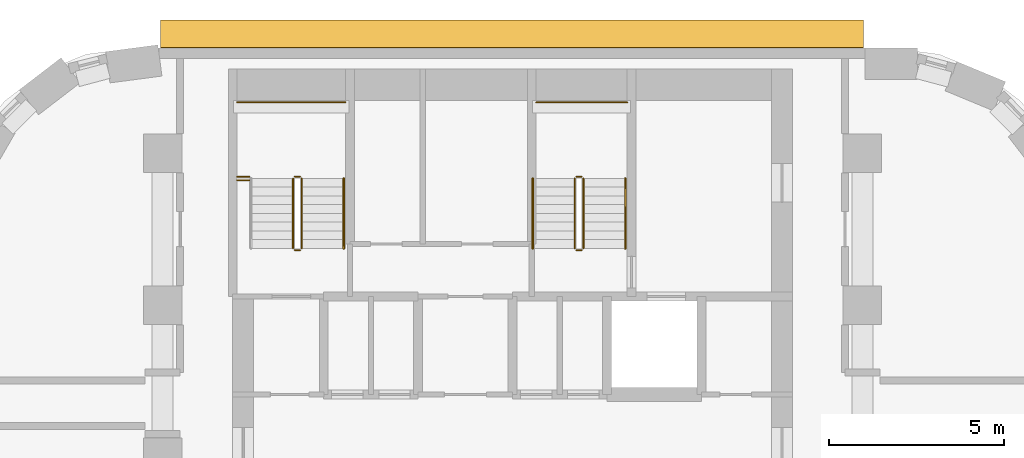
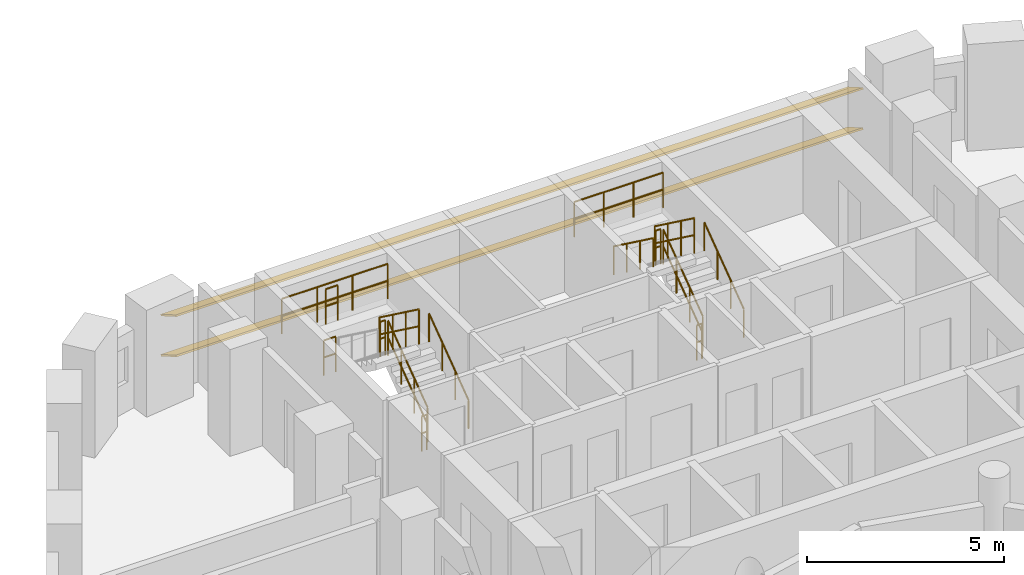
# One storey, part 12 of 12: 15 railings, 2 shading devices.
"""IFC4 building model written with IfcOpenShell, lengths in metres."""

from ifc_helpers import new_model, si_unit, direction, frame, origin, origin_2d, place, context, subcontext, project, spatial, rectangle, circle, extrude, material, material_profile, profile_set, type_object, element, save


model = new_model("IFC4")

# Units and contexts
model_context = context("Model", 3, precision=1e-05, world=origin(), true_north=direction((0.0, 1.0)))
body_context = subcontext(model_context, "Body", "Model", "MODEL_VIEW")
ifc_project = project(units=[si_unit("LENGTHUNIT", "METRE"), si_unit("AREAUNIT", "SQUARE_METRE"), si_unit("VOLUMEUNIT", "CUBIC_METRE"), si_unit("PLANEANGLEUNIT", "RADIAN"), si_unit("MASSUNIT", "GRAM", prefix="KILO")], contexts=[model_context])

# Site, building, storey
site_placement = place(None, origin())
site = spatial("IfcSite", under=ifc_project, at=site_placement, CompositionType="ELEMENT")
building_placement = place(site_placement, origin())
building = spatial("IfcBuilding", under=site, at=building_placement, Name="Nakaniwa Court", CompositionType="ELEMENT")
storey_placement = place(building_placement, frame((0.0, 0.0, 54.60009765625)))
storey = spatial("IfcBuildingStorey", under=building, at=storey_placement, Name="L14", CompositionType="ELEMENT", Elevation=54.60009765625)

# Shading devices
ifc_material_1 = material(Name="Perforated charcoal ceramic louvre blade")
ifc_material_profile = material_profile(ifc_material_1, rectangle(XDim=0.89990234375, YDim=0.050048828125, at=origin_2d()), Name="Perforated ceramic louvre blade")
ifc_profile_set = profile_set([ifc_material_profile], Name="Perforated charcoal ceramic louvre blade")
shading_device_type = type_object("IfcShadingDeviceType", Name="Perforated ceramic louvre blade", PredefinedType="JALOUSIE", material=ifc_profile_set)
for number, where, z_axis, x_axis, name in (
    (1, (90.02880859375, 104.402099609375, 0.5498046875), (-1.0, 0.0, 0.0), (0.0, -0.866025403784, 0.5), "L14 perforated ceramic louvre blade w08 1"),
    (2, (90.02880859375, 104.402099609375, 1.793212890625), (-1.0, 0.0, 0.0), (0.0, -0.866025403784, 0.5), "L14 perforated ceramic louvre blade w08 2"),
):
    element("IfcShadingDevice", number, at=place(storey_placement, frame(where, z_axis=z_axis, x_axis=x_axis)), inside=storey, type_object=shading_device_type, Name=name, PredefinedType="JALOUSIE", context=body_context, shape_type="SweptSolid", body=[
        extrude(rectangle(XDim=0.89990234375, YDim=0.050048828125, at=origin_2d()), origin(), (0.0, 0.0, 1.0), 20.090576171875),
    ])

# Railings
ifc_material_2 = material(Name="Black powder coated steel guard", Category="steel")
railing_type_1 = type_object("IfcRailingType", Name="Stair guard 1100", PredefinedType="GUARDRAIL", material=ifc_material_2)
railing_1_placement = place(storey_placement, frame((73.97509765625, 98.27490234375, 0.183349609375)))
element("IfcRailing", 3, at=railing_1_placement, inside=storey, type_object=railing_type_1, Name="L14 ST1 stair guard 1", PredefinedType="GUARDRAIL", context=body_context, shape_type="SweptSolid", body=[
    extrude(circle(Radius=0.02392578125, at=origin_2d()), frame((0.0, 0.0, 1.076171875), z_axis=(0.0, 0.806426902644, 0.591333789573), x_axis=(-1.0, 0.0, 0.0)), (0.0, 0.0, 1.0), 2.47998046875),
    extrude(circle(Radius=0.02392578125, at=origin_2d()), frame((0.0, 0.0, 0.550048828125), z_axis=(0.0, 0.806426902644, 0.591333789573), x_axis=(-1.0, 0.0, 0.0)), (0.0, 0.0, 1.0), 2.47998046875),
    extrude(circle(Radius=0.02099609375, at=origin_2d()), origin(), (0.0, 0.0, 1.0), 1.052001953125),
    extrude(circle(Radius=0.02099609375, at=origin_2d()), frame((0.0, 0.666748046875, 0.48876953125)), (0.0, 0.0, 1.0), 1.052001953125),
    extrude(circle(Radius=0.02099609375, at=origin_2d()), frame((0.0, 1.333251953125, 0.977783203125)), (0.0, 0.0, 1.0), 1.052001953125),
    extrude(circle(Radius=0.02099609375, at=origin_2d()), frame((0.0, 2.0, 1.466552734375)), (0.0, 0.0, 1.0), 1.052001953125),
])
railing_2_placement = place(storey_placement, frame((73.925048828125, 100.324951171875, 1.64990234375)))
element("IfcRailing", 4, at=railing_2_placement, inside=storey, type_object=railing_type_1, Name="L14 ST1 stair guard 2", PredefinedType="GUARDRAIL", context=body_context, shape_type="SweptSolid", body=[
    extrude(circle(Radius=0.02392578125, at=origin_2d()), frame((0.0, 0.0, 1.076171875), z_axis=(-1.0, 0.0, 0.0), x_axis=(0.0, -1.0, 0.0)), (0.0, 0.0, 1.0), 0.150146484375),
    extrude(circle(Radius=0.02392578125, at=origin_2d()), frame((0.0, 0.0, 0.550048828125), z_axis=(-1.0, 0.0, 0.0), x_axis=(0.0, -1.0, 0.0)), (0.0, 0.0, 1.0), 0.150146484375),
    extrude(circle(Radius=0.02099609375, at=origin_2d()), origin(), (0.0, 0.0, 1.0), 1.052001953125),
    extrude(circle(Radius=0.02099609375, at=origin_2d()), frame((-0.150146484375, 0.0, 0.0)), (0.0, 0.0, 1.0), 1.052001953125),
])
railing_3_placement = place(storey_placement, frame((73.72509765625, 100.27490234375, 1.833251953125)))
element("IfcRailing", 5, at=railing_3_placement, inside=storey, type_object=railing_type_1, Name="L14 ST1 stair guard 3", PredefinedType="GUARDRAIL", context=body_context, shape_type="SweptSolid", body=[
    extrude(circle(Radius=0.02392578125, at=origin_2d()), frame((0.0, 0.0, 1.076171875), z_axis=(0.0, -0.806426902644, 0.591333789573), x_axis=(1.0, 0.0, 0.0)), (0.0, 0.0, 1.0), 2.47998046875),
    extrude(circle(Radius=0.02392578125, at=origin_2d()), frame((0.0, 0.0, 0.550048828125), z_axis=(0.0, -0.806426902644, 0.591333789573), x_axis=(1.0, 0.0, 0.0)), (0.0, 0.0, 1.0), 2.47998046875),
    extrude(circle(Radius=0.02099609375, at=origin_2d()), origin(), (0.0, 0.0, 1.0), 1.052001953125),
    extrude(circle(Radius=0.02099609375, at=origin_2d()), frame((0.0, -0.666748046875, 0.48876953125)), (0.0, 0.0, 1.0), 1.052001953125),
    extrude(circle(Radius=0.02099609375, at=origin_2d()), frame((0.0, -1.333251953125, 0.977783203125)), (0.0, 0.0, 1.0), 1.052001953125),
    extrude(circle(Radius=0.02099609375, at=origin_2d()), frame((0.0, -2.0, 1.466552734375)), (0.0, 0.0, 1.0), 1.052001953125),
])
railing_4_placement = place(storey_placement, frame((73.925048828125, 98.22509765625, 0.0)))
element("IfcRailing", 6, at=railing_4_placement, inside=storey, type_object=railing_type_1, Name="L14 ST1 stair guard 4", PredefinedType="GUARDRAIL", context=body_context, shape_type="SweptSolid", body=[
    extrude(circle(Radius=0.02392578125, at=origin_2d()), frame((0.0, 0.0, 1.076171875), z_axis=(-1.0, 0.0, 0.0), x_axis=(0.0, -1.0, 0.0)), (0.0, 0.0, 1.0), 0.150146484375),
    extrude(circle(Radius=0.02392578125, at=origin_2d()), frame((0.0, 0.0, 0.550048828125), z_axis=(-1.0, 0.0, 0.0), x_axis=(0.0, -1.0, 0.0)), (0.0, 0.0, 1.0), 0.150146484375),
    extrude(circle(Radius=0.02099609375, at=origin_2d()), origin(), (0.0, 0.0, 1.0), 1.052001953125),
    extrude(circle(Radius=0.02099609375, at=origin_2d()), frame((-0.150146484375, 0.0, 0.0)), (0.0, 0.0, 1.0), 1.052001953125),
])
railing_5_placement = place(storey_placement, frame((72.125, 102.449951171875, 1.64990234375)))
element("IfcRailing", 7, at=railing_5_placement, inside=storey, type_object=railing_type_1, Name="L14 ST1 landing end guard 1", PredefinedType="GUARDRAIL", context=body_context, shape_type="SweptSolid", body=[
    extrude(circle(Radius=0.02392578125, at=origin_2d()), frame((0.0, 0.0, 1.076171875), z_axis=(1.0, 0.0, 0.0), x_axis=(0.0, 1.0, 0.0)), (0.0, 0.0, 1.0), 3.10009765625),
    extrude(circle(Radius=0.02392578125, at=origin_2d()), frame((0.0, 0.0, 0.550048828125), z_axis=(1.0, 0.0, 0.0), x_axis=(0.0, 1.0, 0.0)), (0.0, 0.0, 1.0), 3.10009765625),
    extrude(circle(Radius=0.02099609375, at=origin_2d()), origin(), (0.0, 0.0, 1.0), 1.052001953125),
    extrude(circle(Radius=0.02099609375, at=origin_2d()), frame((1.033447265625, 0.0, 0.0)), (0.0, 0.0, 1.0), 1.052001953125),
    extrude(circle(Radius=0.02099609375, at=origin_2d()), frame((2.066650390625, 0.0, 0.0)), (0.0, 0.0, 1.0), 1.052001953125),
    extrude(circle(Radius=0.02099609375, at=origin_2d()), frame((3.10009765625, 0.0, 0.0)), (0.0, 0.0, 1.0), 1.052001953125),
])
for number, where, name in (
    (8, (72.125, 100.324951171875, 1.64990234375), "L14 ST1 landing side guard 1W"),
    (9, (72.125, 100.22509765625, 3.2998046875), "L14 ST1 floor edge guard 1W"),
):
    element("IfcRailing", number, at=place(storey_placement, frame(where)), inside=storey, type_object=railing_type_1, Name=name, PredefinedType="GUARDRAIL", context=body_context, shape_type="SweptSolid", body=[
        extrude(circle(Radius=0.02392578125, at=origin_2d()), frame((0.0, 0.0, 1.076171875), z_axis=(1.0, 0.0, 0.0), x_axis=(0.0, 1.0, 0.0)), (0.0, 0.0, 1.0), 0.35009765625),
        extrude(circle(Radius=0.02392578125, at=origin_2d()), frame((0.0, 0.0, 0.550048828125), z_axis=(1.0, 0.0, 0.0), x_axis=(0.0, 1.0, 0.0)), (0.0, 0.0, 1.0), 0.35009765625),
        extrude(circle(Radius=0.02099609375, at=origin_2d()), origin(), (0.0, 0.0, 1.0), 1.052001953125),
        extrude(circle(Radius=0.02099609375, at=origin_2d()), frame((0.35009765625, 0.0, 0.0)), (0.0, 0.0, 1.0), 1.052001953125),
    ])
railing_6_placement = place(storey_placement, frame((82.02490234375, 98.27490234375, 0.183349609375)))
element("IfcRailing", 10, at=railing_6_placement, inside=storey, type_object=railing_type_1, Name="L14 ST2 stair guard 1", PredefinedType="GUARDRAIL", context=body_context, shape_type="SweptSolid", body=[
    extrude(circle(Radius=0.02392578125, at=origin_2d()), frame((0.0, 0.0, 1.076171875), z_axis=(0.0, 0.806426902644, 0.591333789573), x_axis=(-1.0, 0.0, 0.0)), (0.0, 0.0, 1.0), 2.47998046875),
    extrude(circle(Radius=0.02392578125, at=origin_2d()), frame((0.0, 0.0, 0.550048828125), z_axis=(0.0, 0.806426902644, 0.591333789573), x_axis=(-1.0, 0.0, 0.0)), (0.0, 0.0, 1.0), 2.47998046875),
    extrude(circle(Radius=0.02099609375, at=origin_2d()), origin(), (0.0, 0.0, 1.0), 1.052001953125),
    extrude(circle(Radius=0.02099609375, at=origin_2d()), frame((0.0, 0.666748046875, 0.48876953125)), (0.0, 0.0, 1.0), 1.052001953125),
    extrude(circle(Radius=0.02099609375, at=origin_2d()), frame((0.0, 1.333251953125, 0.977783203125)), (0.0, 0.0, 1.0), 1.052001953125),
    extrude(circle(Radius=0.02099609375, at=origin_2d()), frame((0.0, 2.0, 1.466552734375)), (0.0, 0.0, 1.0), 1.052001953125),
])
railing_7_placement = place(storey_placement, frame((81.97509765625, 100.324951171875, 1.64990234375)))
element("IfcRailing", 11, at=railing_7_placement, inside=storey, type_object=railing_type_1, Name="L14 ST2 stair guard 2", PredefinedType="GUARDRAIL", context=body_context, shape_type="SweptSolid", body=[
    extrude(circle(Radius=0.02392578125, at=origin_2d()), frame((0.0, 0.0, 1.076171875), z_axis=(-1.0, 0.0, 0.0), x_axis=(0.0, -1.0, 0.0)), (0.0, 0.0, 1.0), 0.150146484375),
    extrude(circle(Radius=0.02392578125, at=origin_2d()), frame((0.0, 0.0, 0.550048828125), z_axis=(-1.0, 0.0, 0.0), x_axis=(0.0, -1.0, 0.0)), (0.0, 0.0, 1.0), 0.150146484375),
    extrude(circle(Radius=0.02099609375, at=origin_2d()), origin(), (0.0, 0.0, 1.0), 1.052001953125),
    extrude(circle(Radius=0.02099609375, at=origin_2d()), frame((-0.150146484375, 0.0, 0.0)), (0.0, 0.0, 1.0), 1.052001953125),
])
railing_8_placement = place(storey_placement, frame((81.77490234375, 100.27490234375, 1.833251953125)))
element("IfcRailing", 12, at=railing_8_placement, inside=storey, type_object=railing_type_1, Name="L14 ST2 stair guard 3", PredefinedType="GUARDRAIL", context=body_context, shape_type="SweptSolid", body=[
    extrude(circle(Radius=0.02392578125, at=origin_2d()), frame((0.0, 0.0, 1.076171875), z_axis=(0.0, -0.806426902644, 0.591333789573), x_axis=(1.0, 0.0, 0.0)), (0.0, 0.0, 1.0), 2.47998046875),
    extrude(circle(Radius=0.02392578125, at=origin_2d()), frame((0.0, 0.0, 0.550048828125), z_axis=(0.0, -0.806426902644, 0.591333789573), x_axis=(1.0, 0.0, 0.0)), (0.0, 0.0, 1.0), 2.47998046875),
    extrude(circle(Radius=0.02099609375, at=origin_2d()), origin(), (0.0, 0.0, 1.0), 1.052001953125),
    extrude(circle(Radius=0.02099609375, at=origin_2d()), frame((0.0, -0.666748046875, 0.48876953125)), (0.0, 0.0, 1.0), 1.052001953125),
    extrude(circle(Radius=0.02099609375, at=origin_2d()), frame((0.0, -1.333251953125, 0.977783203125)), (0.0, 0.0, 1.0), 1.052001953125),
    extrude(circle(Radius=0.02099609375, at=origin_2d()), frame((0.0, -2.0, 1.466552734375)), (0.0, 0.0, 1.0), 1.052001953125),
])
railing_9_placement = place(storey_placement, frame((81.97509765625, 98.22509765625, 0.0)))
element("IfcRailing", 13, at=railing_9_placement, inside=storey, type_object=railing_type_1, Name="L14 ST2 stair guard 4", PredefinedType="GUARDRAIL", context=body_context, shape_type="SweptSolid", body=[
    extrude(circle(Radius=0.02392578125, at=origin_2d()), frame((0.0, 0.0, 1.076171875), z_axis=(-1.0, 0.0, 0.0), x_axis=(0.0, -1.0, 0.0)), (0.0, 0.0, 1.0), 0.150146484375),
    extrude(circle(Radius=0.02392578125, at=origin_2d()), frame((0.0, 0.0, 0.550048828125), z_axis=(-1.0, 0.0, 0.0), x_axis=(0.0, -1.0, 0.0)), (0.0, 0.0, 1.0), 0.150146484375),
    extrude(circle(Radius=0.02099609375, at=origin_2d()), origin(), (0.0, 0.0, 1.0), 1.052001953125),
    extrude(circle(Radius=0.02099609375, at=origin_2d()), frame((-0.150146484375, 0.0, 0.0)), (0.0, 0.0, 1.0), 1.052001953125),
])
railing_10_placement = place(storey_placement, frame((80.675048828125, 102.449951171875, 1.64990234375)))
element("IfcRailing", 14, at=railing_10_placement, inside=storey, type_object=railing_type_1, Name="L14 ST2 landing end guard 1", PredefinedType="GUARDRAIL", context=body_context, shape_type="SweptSolid", body=[
    extrude(circle(Radius=0.02392578125, at=origin_2d()), frame((0.0, 0.0, 1.076171875), z_axis=(1.0, 0.0, 0.0), x_axis=(0.0, 1.0, 0.0)), (0.0, 0.0, 1.0), 2.599853515625),
    extrude(circle(Radius=0.02392578125, at=origin_2d()), frame((0.0, 0.0, 0.550048828125), z_axis=(1.0, 0.0, 0.0), x_axis=(0.0, 1.0, 0.0)), (0.0, 0.0, 1.0), 2.599853515625),
    extrude(circle(Radius=0.02099609375, at=origin_2d()), origin(), (0.0, 0.0, 1.0), 1.052001953125),
    extrude(circle(Radius=0.02099609375, at=origin_2d()), frame((0.86669921875, 0.0, 0.0)), (0.0, 0.0, 1.0), 1.052001953125),
    extrude(circle(Radius=0.02099609375, at=origin_2d()), frame((1.733154296875, 0.0, 0.0)), (0.0, 0.0, 1.0), 1.052001953125),
    extrude(circle(Radius=0.02099609375, at=origin_2d()), frame((2.599853515625, 0.0, 0.0)), (0.0, 0.0, 1.0), 1.052001953125),
])
ifc_material_3 = material(Name="Black powder coated steel handrail", Category="steel")
railing_type_2 = type_object("IfcRailingType", Name="Stair handrail 900", PredefinedType="HANDRAIL", material=ifc_material_3)
for number, where, name in (
    (15, (75.175048828125, 98.27490234375, 0.183349609375), "L14 ST1 stair handrail 1"),
    (16, (83.22509765625, 98.27490234375, 0.183349609375), "L14 ST2 stair handrail 1"),
):
    element("IfcRailing", number, at=place(storey_placement, frame(where)), inside=storey, type_object=railing_type_2, Name=name, PredefinedType="HANDRAIL", context=body_context, shape_type="SweptSolid", body=[
        extrude(circle(Radius=0.02392578125, at=origin_2d()), frame((0.0, 0.0, 0.8759765625), z_axis=(0.0, 0.806426902644, 0.591333789573), x_axis=(-1.0, 0.0, 0.0)), (0.0, 0.0, 1.0), 2.47998046875),
        extrude(circle(Radius=0.02099609375, at=origin_2d()), origin(), (0.0, 0.0, 1.0), 0.851806640625),
        extrude(circle(Radius=0.02099609375, at=origin_2d()), frame((0.0, 0.666748046875, 0.48876953125)), (0.0, 0.0, 1.0), 0.851806640625),
        extrude(circle(Radius=0.02099609375, at=origin_2d()), frame((0.0, 1.333251953125, 0.977783203125)), (0.0, 0.0, 1.0), 0.851806640625),
        extrude(circle(Radius=0.02099609375, at=origin_2d()), frame((0.0, 2.0, 1.466552734375)), (0.0, 0.0, 1.0), 0.851806640625),
    ])
railing_11_placement = place(storey_placement, frame((80.574951171875, 100.27490234375, 1.833251953125)))
element("IfcRailing", 17, at=railing_11_placement, inside=storey, type_object=railing_type_2, Name="L14 ST2 stair handrail 2", PredefinedType="HANDRAIL", context=body_context, shape_type="SweptSolid", body=[
    extrude(circle(Radius=0.02392578125, at=origin_2d()), frame((0.0, 0.0, 0.8759765625), z_axis=(0.0, -0.806426902644, 0.591333789573), x_axis=(1.0, 0.0, 0.0)), (0.0, 0.0, 1.0), 2.47998046875),
    extrude(circle(Radius=0.02099609375, at=origin_2d()), origin(), (0.0, 0.0, 1.0), 0.851806640625),
    extrude(circle(Radius=0.02099609375, at=origin_2d()), frame((0.0, -0.666748046875, 0.48876953125)), (0.0, 0.0, 1.0), 0.851806640625),
    extrude(circle(Radius=0.02099609375, at=origin_2d()), frame((0.0, -1.333251953125, 0.977783203125)), (0.0, 0.0, 1.0), 0.851806640625),
    extrude(circle(Radius=0.02099609375, at=origin_2d()), frame((0.0, -2.0, 1.466552734375)), (0.0, 0.0, 1.0), 0.851806640625),
])

save(model, "model.ifc")
